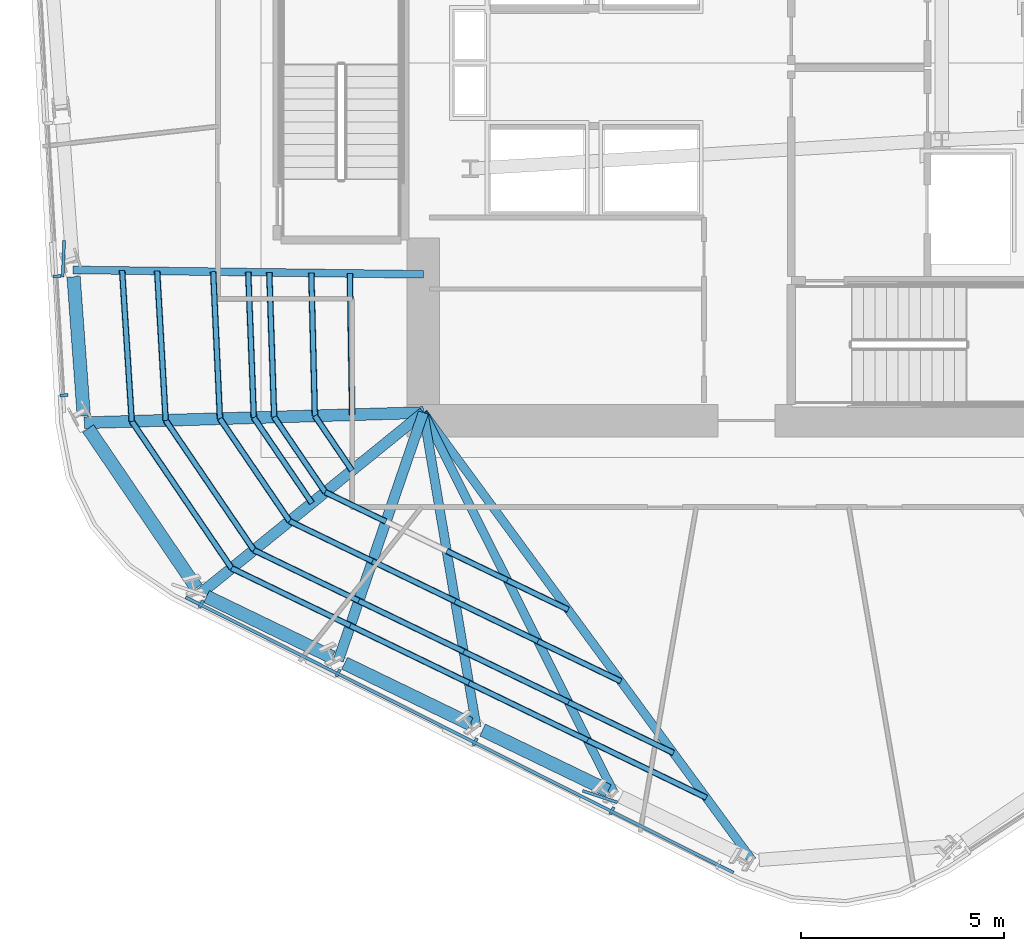
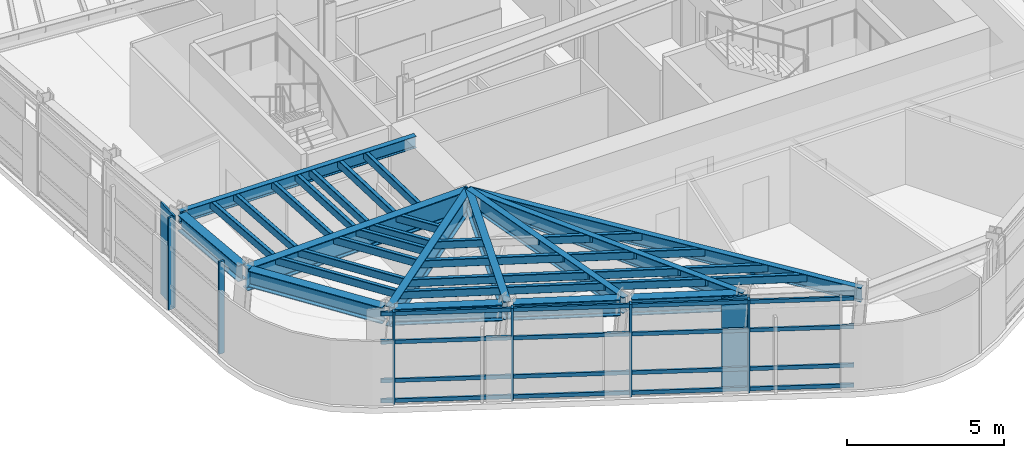
# One storey, part 2 of 15: 40 members, 12 beams, 2 elements without a shape of their own.
"""IFC4 building model written with IfcOpenShell, lengths in metres."""

from ifc_helpers import new_model, si_unit, direction, frame, origin, origin_2d, place, context, subcontext, project, spatial, rectangle, hollow_rectangle, i_section, extrude, material, layer, layer_set, material_profile, profile_set, type_object, element, aggregate, save


model = new_model("IFC4")

# Units and contexts
model_context = context("Model", 3, precision=1e-05, world=origin(), true_north=direction((0.0, 1.0)))
body_context = subcontext(model_context, "Body", "Model", "MODEL_VIEW")
ifc_project = project(units=[si_unit("LENGTHUNIT", "METRE"), si_unit("AREAUNIT", "SQUARE_METRE"), si_unit("VOLUMEUNIT", "CUBIC_METRE"), si_unit("PLANEANGLEUNIT", "RADIAN"), si_unit("MASSUNIT", "GRAM", prefix="KILO")], contexts=[model_context])

# Site, building, storey
site_placement = place(None, origin())
site = spatial("IfcSite", under=ifc_project, at=site_placement, CompositionType="ELEMENT")
building_placement = place(site_placement, origin())
building = spatial("IfcBuilding", under=site, at=building_placement, Name="Valkerne Bourse Tower", CompositionType="ELEMENT")
storey_placement = place(building_placement, frame((0.0, 0.0, 166.60009765625)))
storey = spatial("IfcBuildingStorey", under=building, at=storey_placement, Name="L42", CompositionType="ELEMENT", Elevation=166.60009765625)

# Beams
ifc_material_1 = material(Name="Steel ASTM A992", Category="steel")
ifc_material_profile_1 = material_profile(ifc_material_1, i_section(OverallWidth=0.1904296875, OverallDepth=0.457275390625, WebThickness=0.009033203125, FlangeThickness=0.014404296875, FilletRadius=0.01513671875, at=origin_2d()), Name="W18X50")
ifc_profile_set_1 = profile_set([ifc_material_profile_1], Name="Steel ASTM A992")
beam_type_1 = type_object("IfcBeamType", Name="BM-W18X50", PredefinedType="JOIST", material=ifc_profile_set_1)
beam_1_placement = place(storey_placement, frame((28.981689453125, 21.910400390625, 3.351318359375), z_axis=(0.999918036695, -0.012803120381, 0.0), x_axis=(0.012803120381, 0.999918036695, 0.0)))
element("IfcBeam", 1, at=beam_1_placement, inside=storey, type_object=beam_type_1, Name="L42 Radial Composite Floor Beam 13", PredefinedType="JOIST", context=body_context, shape_type="SweptSolid", body=[
    extrude(i_section(OverallWidth=0.1904296875, OverallDepth=0.457275390625, WebThickness=0.009033203125, FlangeThickness=0.014404296875, FilletRadius=0.01513671875, at=origin_2d()), origin(), (0.0, 0.0, 1.0), 8.619140625),
])
ifc_material_profile_2 = material_profile(ifc_material_1, i_section(OverallWidth=0.209228515625, OverallDepth=0.533447265625, WebThickness=0.01025390625, FlangeThickness=0.015625, FilletRadius=0.017822265625, at=origin_2d()), Name="W21X62")
ifc_profile_set_2 = profile_set([ifc_material_profile_2], Name="Steel ASTM A992")
beam_type_2 = type_object("IfcBeamType", Name="BM-W21X62", PredefinedType="JOIST", material=ifc_profile_set_2)
beam_2_placement = place(storey_placement, frame((45.693603515625, 7.3828125, 3.313232421875), z_axis=(-0.592044005154, 0.805905637132, 0.0), x_axis=(-0.805905637132, -0.592044005154, 0.0)))
element("IfcBeam", 2, at=beam_2_placement, inside=storey, type_object=beam_type_2, Name="L42 Radial Composite Floor Beam 19", PredefinedType="JOIST", context=body_context, shape_type="SweptSolid", body=[
    extrude(i_section(OverallWidth=0.209228515625, OverallDepth=0.533447265625, WebThickness=0.01025390625, FlangeThickness=0.015625, FilletRadius=0.017822265625, at=origin_2d()), origin(), (0.0, 0.0, 1.0), 13.67041015625),
])
ifc_material_profile_3 = material_profile(ifc_material_1, i_section(OverallWidth=0.2138671875, OverallDepth=0.548583984375, WebThickness=0.0146484375, FlangeThickness=0.023681640625, FilletRadius=0.017822265625, at=origin_2d()), Name="W21X93")
ifc_profile_set_3 = profile_set([ifc_material_profile_3], Name="Steel ASTM A992")
beam_type_3 = type_object("IfcBeamType", Name="BM-W21X93", PredefinedType="BEAM", material=ifc_profile_set_3)
beam_3_placement = place(storey_placement, frame((42.298583984375, 9.024169921875, 3.3056640625), z_axis=(-0.44802355597, 0.894021752138, 0.0), x_axis=(-0.894021752138, -0.44802355597, 0.0)))
element("IfcBeam", 3, at=beam_3_placement, inside=storey, type_object=beam_type_3, Name="L42 Radial Composite Floor Beam 18", PredefinedType="BEAM", context=body_context, shape_type="SweptSolid", body=[
    extrude(i_section(OverallWidth=0.2138671875, OverallDepth=0.548583984375, WebThickness=0.0146484375, FlangeThickness=0.023681640625, FilletRadius=0.017822265625, at=origin_2d()), origin(), (0.0, 0.0, 1.0), 10.487060546875),
])
ifc_material_profile_4 = material_profile(ifc_material_1, i_section(OverallWidth=0.32763671875, OverallDepth=0.62744140625, WebThickness=0.0166015625, FlangeThickness=0.027587890625, FilletRadius=0.020263671875, at=origin_2d()), Name="W24X146")
ifc_profile_set_4 = profile_set([ifc_material_profile_4], Name="Steel ASTM A992")
beam_type_4 = type_object("IfcBeamType", Name="BM-W24X146", PredefinedType="SPANDREL", material=ifc_profile_set_4)
beam_4_placement = place(storey_placement, frame((28.994140625, 21.74072265625, 3.26611328125), z_axis=(0.073224234893, -0.997315502449, 0.0), x_axis=(0.997315502449, 0.073224234893, 0.0)))
element("IfcBeam", 4, at=beam_4_placement, inside=storey, type_object=beam_type_4, Name="L42 Hexagonal Spandrel Ring Beam 13", PredefinedType="SPANDREL", context=body_context, shape_type="SweptSolid", body=[
    extrude(i_section(OverallWidth=0.32763671875, OverallDepth=0.62744140625, WebThickness=0.0166015625, FlangeThickness=0.027587890625, FilletRadius=0.020263671875, at=origin_2d()), origin(), (0.0, 0.0, 1.0), 3.430908203125),
])
beam_5_placement = place(storey_placement, frame((29.353515625, 18.0087890625, 3.26611328125), z_axis=(0.562047948241, -0.827104651104, 0.0), x_axis=(0.827104651104, 0.562047948241, 0.0)))
element("IfcBeam", 5, at=beam_5_placement, inside=storey, type_object=beam_type_4, Name="L42 Hexagonal Spandrel Ring Beam 14", PredefinedType="SPANDREL", context=body_context, shape_type="SweptSolid", body=[
    extrude(i_section(OverallWidth=0.32763671875, OverallDepth=0.62744140625, WebThickness=0.0166015625, FlangeThickness=0.027587890625, FilletRadius=0.020263671875, at=origin_2d()), origin(), (0.0, 0.0, 1.0), 4.739990234375),
])
for number, where, z_axis, x_axis, name in (
    (6, (32.266357421875, 13.873779296875, 3.26611328125), (0.900324787912, -0.435218653404, 0.0), (0.435218653404, 0.900324787912, 0.0), "L42 Hexagonal Spandrel Ring Beam 15"),
    (7, (35.66162109375, 12.232666015625, 3.26611328125), (0.900296903464, -0.435276332476, 0.0), (0.435276332476, 0.900296903464, 0.0), "L42 Hexagonal Spandrel Ring Beam 16"),
    (8, (39.056640625, 10.59130859375, 3.26611328125), (0.900324787912, -0.435218653404, 0.0), (0.435218653404, 0.900324787912, 0.0), "L42 Hexagonal Spandrel Ring Beam 17"),
):
    element("IfcBeam", number, at=place(storey_placement, frame(where, z_axis=z_axis, x_axis=x_axis)), inside=storey, type_object=beam_type_4, Name=name, PredefinedType="SPANDREL", context=body_context, shape_type="SweptSolid", body=[
        extrude(i_section(OverallWidth=0.32763671875, OverallDepth=0.62744140625, WebThickness=0.0166015625, FlangeThickness=0.027587890625, FilletRadius=0.020263671875, at=origin_2d()), origin(), (0.0, 0.0, 1.0), 3.430908203125),
    ])
ifc_material_profile_5 = material_profile(ifc_material_1, i_section(OverallWidth=0.228271484375, OverallDepth=0.607177734375, WebThickness=0.01123046875, FlangeThickness=0.017333984375, FilletRadius=0.017822265625, at=origin_2d()), Name="W24X76")
ifc_profile_set_5 = profile_set([ifc_material_profile_5], Name="Steel ASTM A992")
beam_type_5 = type_object("IfcBeamType", Name="BM-W24X76", PredefinedType="JOIST", material=ifc_profile_set_5)
beam_6_placement = place(storey_placement, frame((38.903564453125, 10.665283203125, 3.2763671875), z_axis=(-0.166180458838, 0.986095358016, 0.0), x_axis=(-0.986095358016, -0.166180458838, 0.0)))
element("IfcBeam", 9, at=beam_6_placement, inside=storey, type_object=beam_type_5, Name="L42 Radial Composite Floor Beam 17", PredefinedType="JOIST", context=body_context, shape_type="SweptSolid", body=[
    extrude(i_section(OverallWidth=0.228271484375, OverallDepth=0.607177734375, WebThickness=0.01123046875, FlangeThickness=0.017333984375, FilletRadius=0.017822265625, at=origin_2d()), origin(), (0.0, 0.0, 1.0), 7.84375),
])
ifc_material_profile_6 = material_profile(ifc_material_1, i_section(OverallWidth=0.255859375, OverallDepth=0.693359375, WebThickness=0.014404296875, FlangeThickness=0.023681640625, FilletRadius=0.02294921875, at=origin_2d()), Name="W27X114")
ifc_profile_set_6 = profile_set([ifc_material_profile_6], Name="Steel ASTM A992")
beam_type_6 = type_object("IfcBeamType", Name="BM-W27X114", PredefinedType="BEAM", material=ifc_profile_set_6)
beam_7_placement = place(storey_placement, frame((35.50830078125, 12.306640625, 3.233154296875), z_axis=(0.324696342773, 0.945818315, 0.0), x_axis=(-0.945818315, 0.324696342773, 0.0)))
element("IfcBeam", 10, at=beam_7_placement, inside=storey, type_object=beam_type_6, Name="L42 Radial Composite Floor Beam 16", PredefinedType="BEAM", context=body_context, shape_type="SweptSolid", body=[
    extrude(i_section(OverallWidth=0.255859375, OverallDepth=0.693359375, WebThickness=0.014404296875, FlangeThickness=0.023681640625, FilletRadius=0.02294921875, at=origin_2d()), origin(), (0.0, 0.0, 1.0), 6.4423828125),
])
ifc_material_profile_7 = material_profile(ifc_material_1, i_section(OverallWidth=0.26806640625, OverallDepth=0.76953125, WebThickness=0.015625, FlangeThickness=0.025390625, FilletRadius=0.025390625, at=origin_2d()), Name="W30X132")
ifc_profile_set_7 = profile_set([ifc_material_profile_7], Name="Steel ASTM A992")
beam_type_7 = type_object("IfcBeamType", Name="BM-W30X132", PredefinedType="BEAM", material=ifc_profile_set_7)
beam_8_placement = place(storey_placement, frame((32.11328125, 13.94775390625, 3.195068359375), z_axis=(0.776521795274, 0.630090391502, 0.0), x_axis=(-0.630090391502, 0.776521795274, 0.0)))
element("IfcBeam", 11, at=beam_8_placement, inside=storey, type_object=beam_type_7, Name="L42 Radial Composite Floor Beam 15", PredefinedType="BEAM", context=body_context, shape_type="SweptSolid", body=[
    extrude(i_section(OverallWidth=0.26806640625, OverallDepth=0.76953125, WebThickness=0.015625, FlangeThickness=0.025390625, FilletRadius=0.025390625, at=origin_2d()), origin(), (0.0, 0.0, 1.0), 7.06591796875),
])
ifc_material_profile_8 = material_profile(ifc_material_1, i_section(OverallWidth=0.2919921875, OverallDepth=0.8583984375, WebThickness=0.01708984375, FlangeThickness=0.031005859375, FilletRadius=0.025390625, at=origin_2d()), Name="W33X169")
ifc_profile_set_8 = profile_set([ifc_material_profile_8], Name="Steel ASTM A992")
beam_type_8 = type_object("IfcBeamType", Name="BM-W33X169", PredefinedType="BEAM", material=ifc_profile_set_8)
beam_9_placement = place(storey_placement, frame((29.2578125, 18.1494140625, 3.150634765625), z_axis=(0.999549514076, 0.030012812451, 0.0), x_axis=(-0.030012812451, 0.999549514076, 0.0)))
element("IfcBeam", 12, at=beam_9_placement, inside=storey, type_object=beam_type_8, Name="L42 Radial Composite Floor Beam 14", PredefinedType="BEAM", context=body_context, shape_type="SweptSolid", body=[
    extrude(i_section(OverallWidth=0.2919921875, OverallDepth=0.8583984375, WebThickness=0.01708984375, FlangeThickness=0.031005859375, FilletRadius=0.025390625, at=origin_2d()), origin(), (0.0, 0.0, 1.0), 8.345947265625),
])

# Curtain wall, members
ifc_material_2 = material(Name="Aluminium AA 6063-T6", Category="aluminium")
ifc_layer = layer(ifc_material_2, 0.235107421875)
ifc_layer_set = layer_set([ifc_layer], Name="Aluminium AA 6063-T6")
curtain_wall_type = type_object("IfcCurtainWallType", Name="CW-03", PredefinedType="NOTDEFINED", material=ifc_layer_set)
curtain_wall_1_placement = place(storey_placement, origin())
curtain_wall_1 = element("IfcCurtainWall", 13, at=curtain_wall_1_placement, inside=storey, type_object=curtain_wall_type, Name="L42 Hexagonal Stick Curtain Wall Face 3", PredefinedType="NOTDEFINED")
ifc_material_profile_9 = material_profile(ifc_material_2, rectangle(XDim=0.074951171875, YDim=0.199951171875, at=origin_2d()), Name="CWM-75X200")
ifc_profile_set_9 = profile_set([ifc_material_profile_9], Name="Aluminium AA 6063-T6")
member_type_1 = type_object("IfcMemberType", Name="CW-MUL-220X75", PredefinedType="MULLION", material=ifc_profile_set_9)
member_1_placement = place(storey_placement, frame((28.588623046875, 21.751953125, 0.0), z_axis=(0.0, 0.0, 1.0), x_axis=(0.057570105269, -0.998341466122, 0.0)))
member_1 = element("IfcMember", 14, at=member_1_placement, type_object=member_type_1, Name="CW-L42-F3 Jamb Mullion 03A", PredefinedType="MULLION", context=body_context, shape_type="SweptSolid", body=[
    extrude(rectangle(XDim=0.074951171875, YDim=0.199951171875, at=origin_2d()), origin(), (0.0, 0.0, 1.0), 3.579833984375),
])
member_2_placement = place(storey_placement, frame((28.75732421875, 18.82568359375, 0.0), z_axis=(0.0, 0.0, 1.0), x_axis=(0.057570105269, -0.998341466122, 0.0)))
member_2 = element("IfcMember", 15, at=member_2_placement, type_object=member_type_1, Name="CW-L42-F3 Jamb Mullion 03B", PredefinedType="MULLION", context=body_context, shape_type="SweptSolid", body=[
    extrude(rectangle(XDim=0.074951171875, YDim=0.199951171875, at=origin_2d()), origin(), (0.0, 0.0, 1.0), 3.579833984375),
])
aggregate(curtain_wall_1, [member_1, member_2])

curtain_wall_2_placement = place(storey_placement, origin())
curtain_wall_2 = element("IfcCurtainWall", 16, at=curtain_wall_2_placement, inside=storey, type_object=curtain_wall_type, Name="L42 Hexagonal Stick Curtain Wall Face 4", PredefinedType="NOTDEFINED")
member_3_placement = place(storey_placement, frame((32.132568359375, 13.6875, 0.0), z_axis=(0.0, 0.0, 1.0), x_axis=(0.893369278637, -0.449323193244, 0.0)))
member_3 = element("IfcMember", 17, at=member_3_placement, type_object=member_type_1, Name="CW-L42-F4 Jamb Mullion 00A", PredefinedType="MULLION", context=body_context, shape_type="SweptSolid", body=[
    extrude(rectangle(XDim=0.074951171875, YDim=0.199951171875, at=origin_2d()), origin(), (0.0, 0.0, 1.0), 3.579833984375),
])
member_4_placement = place(storey_placement, frame((35.50146484375, 11.9931640625, 0.0), z_axis=(0.0, 0.0, 1.0), x_axis=(0.893379923198, -0.449302028514, 0.0)))
member_4 = element("IfcMember", 18, at=member_4_placement, type_object=member_type_1, Name="CW-L42-F4 Jamb Mullion 01A", PredefinedType="MULLION", context=body_context, shape_type="SweptSolid", body=[
    extrude(rectangle(XDim=0.074951171875, YDim=0.199951171875, at=origin_2d()), origin(), (0.0, 0.0, 1.0), 3.579833984375),
])
member_5_placement = place(storey_placement, frame((38.870361328125, 10.298828125, 0.0), z_axis=(0.0, 0.0, 1.0), x_axis=(0.893369278637, -0.449323193244, 0.0)))
member_5 = element("IfcMember", 19, at=member_5_placement, type_object=member_type_1, Name="CW-L42-F4 Jamb Mullion 02A", PredefinedType="MULLION", context=body_context, shape_type="SweptSolid", body=[
    extrude(rectangle(XDim=0.074951171875, YDim=0.199951171875, at=origin_2d()), origin(), (0.0, 0.0, 1.0), 3.579833984375),
])
member_6_placement = place(storey_placement, frame((42.2392578125, 8.6044921875, 0.0), z_axis=(0.0, 0.0, 1.0), x_axis=(0.893369278637, -0.449323193244, 0.0)))
member_6 = element("IfcMember", 20, at=member_6_placement, type_object=member_type_1, Name="CW-L42-F4 Jamb Mullion 03A", PredefinedType="MULLION", context=body_context, shape_type="SweptSolid", body=[
    extrude(rectangle(XDim=0.074951171875, YDim=0.199951171875, at=origin_2d()), origin(), (0.0, 0.0, 1.0), 3.579833984375),
])
ifc_material_profile_10 = material_profile(ifc_material_2, rectangle(XDim=0.074951171875, YDim=0.14990234375, at=origin_2d()), Name="CWT-75X150")
ifc_profile_set_10 = profile_set([ifc_material_profile_10], Name="Aluminium AA 6063-T6")
member_type_2 = type_object("IfcMemberType", Name="CW-TRN-180X65", PredefinedType="USERDEFINED", material=ifc_profile_set_10)
member_7_placement = place(storey_placement, frame((31.748291015625, 13.8583984375, 0.119873046875), z_axis=(0.893375909627, -0.4493100089, 0.0), x_axis=(0.4493100089, 0.893375909627, 0.0)))
member_7 = element("IfcMember", 21, at=member_7_placement, type_object=member_type_2, Name="CW-L42-F4 Continuous Face Transom 1", ObjectType="TRANSOM", PredefinedType="USERDEFINED", context=body_context, shape_type="SweptSolid", body=[
    extrude(rectangle(XDim=0.074951171875, YDim=0.14990234375, at=origin_2d()), origin(), (0.0, 0.0, 1.0), 15.083984375),
])
member_8_placement = place(storey_placement, frame((31.748291015625, 13.8583984375, 0.89990234375), z_axis=(0.893375909627, -0.4493100089, 0.0), x_axis=(0.4493100089, 0.893375909627, 0.0)))
member_8 = element("IfcMember", 22, at=member_8_placement, type_object=member_type_2, Name="CW-L42-F4 Continuous Face Transom 2", ObjectType="TRANSOM", PredefinedType="USERDEFINED", context=body_context, shape_type="SweptSolid", body=[
    extrude(rectangle(XDim=0.074951171875, YDim=0.14990234375, at=origin_2d()), origin(), (0.0, 0.0, 1.0), 15.083984375),
])
member_9_placement = place(storey_placement, frame((31.748291015625, 13.8583984375, 2.39990234375), z_axis=(0.893375909627, -0.4493100089, 0.0), x_axis=(0.4493100089, 0.893375909627, 0.0)))
member_9 = element("IfcMember", 23, at=member_9_placement, type_object=member_type_2, Name="CW-L42-F4 Continuous Face Transom 3", ObjectType="TRANSOM", PredefinedType="USERDEFINED", context=body_context, shape_type="SweptSolid", body=[
    extrude(rectangle(XDim=0.074951171875, YDim=0.14990234375, at=origin_2d()), origin(), (0.0, 0.0, 1.0), 15.083984375),
])
member_10_placement = place(storey_placement, frame((31.748291015625, 13.8583984375, 3.5), z_axis=(0.893375909627, -0.4493100089, 0.0), x_axis=(0.4493100089, 0.893375909627, 0.0)))
member_10 = element("IfcMember", 24, at=member_10_placement, type_object=member_type_2, Name="CW-L42-F4 Continuous Face Transom 4", ObjectType="TRANSOM", PredefinedType="USERDEFINED", context=body_context, shape_type="SweptSolid", body=[
    extrude(rectangle(XDim=0.074951171875, YDim=0.14990234375, at=origin_2d()), origin(), (0.0, 0.0, 1.0), 15.083984375),
])
aggregate(curtain_wall_2, [member_7, member_8, member_9, member_10, member_3, member_4, member_5, member_6])

# Members
ifc_material_3 = material(Name="Bronze Anodised Aluminium AA 6063-T6", Category="aluminium")
ifc_material_profile_11 = material_profile(ifc_material_3, rectangle(XDim=0.070068359375, YDim=0.89990234375, at=origin_2d()), Name="FIN-70X900")
ifc_profile_set_11 = profile_set([ifc_material_profile_11], Name="Bronze Anodised Aluminium AA 6063-T6")
member_type_3 = type_object("IfcMemberType", Name="FIN-SOLAR-900", PredefinedType="USERDEFINED", material=ifc_profile_set_11)
for number, where, z_axis, x_axis, name in (
    (25, (28.744140625, 22.181640625, 0.00390625), (0.0, 0.0, 1.0), (-0.999175484483, 0.040599891717, 0.0), "L42 Bronze Anodised Solar Fin F3-03"),
    (26, (41.94482421875, 8.9541015625, 0.00390625), (0.0, 0.0, 1.0), (-0.31585003903, -0.948809123504, 0.0), "L42 Bronze Anodised Solar Fin F4-03"),
):
    element("IfcMember", number, at=place(storey_placement, frame(where, z_axis=z_axis, x_axis=x_axis)), inside=storey, type_object=member_type_3, Name=name, ObjectType="SOLAR_FIN", PredefinedType="USERDEFINED", context=body_context, shape_type="SweptSolid", body=[
        extrude(rectangle(XDim=0.070068359375, YDim=0.89990234375, at=origin_2d()), origin(), (0.0, 0.0, 1.0), 3.572021484375),
    ])
ifc_material_4 = material(Name="Steel ASTM A500 Grade C", Category="steel")
ifc_material_profile_12 = material_profile(ifc_material_4, hollow_rectangle(XDim=0.14990234375, YDim=0.300048828125, WallThickness=0.012451171875, OuterFilletRadius=0.02490234375, at=origin_2d()), Name="HSS300X150X12.5")
ifc_profile_set_12 = profile_set([ifc_material_profile_12], Name="Steel ASTM A500 Grade C")
member_type_4 = type_object("IfcMemberType", Name="MBR-HSS300X150X12.5", PredefinedType="PURLIN", material=ifc_profile_set_12)
member_11_placement = place(storey_placement, frame((34.842041015625, 21.835205078125, 3.419921875), z_axis=(0.025132693442, -0.999684123971, 0.0), x_axis=(0.999684123971, 0.025132693442, 0.0)))
element("IfcMember", 27, at=member_11_placement, inside=storey, type_object=member_type_4, Name="L42 Secondary Composite Floor Purlin I-13", PredefinedType="PURLIN", context=body_context, shape_type="SweptSolid", body=[
    extrude(hollow_rectangle(XDim=0.14990234375, YDim=0.300048828125, WallThickness=0.012451171875, OuterFilletRadius=0.02490234375, at=origin_2d()), origin(), (0.0, 0.0, 1.0), 3.5166015625),
])
member_12_placement = place(storey_placement, frame((34.930419921875, 18.31982421875, 3.419921875), z_axis=(0.562129264405, -0.827049387945, 0.0), x_axis=(0.827049387945, 0.562129264405, 0.0)))
element("IfcMember", 28, at=member_12_placement, inside=storey, type_object=member_type_4, Name="L42 Secondary Composite Floor Purlin I-14", PredefinedType="PURLIN", context=body_context, shape_type="SweptSolid", body=[
    extrude(hollow_rectangle(XDim=0.14990234375, YDim=0.300048828125, WallThickness=0.012451171875, OuterFilletRadius=0.02490234375, at=origin_2d()), origin(), (0.0, 0.0, 1.0), 1.625732421875),
])
member_13_placement = place(storey_placement, frame((33.807861328125, 21.848388671875, 3.419921875), z_axis=(0.034145828544, -0.999416861171, 0.0), x_axis=(0.999416861171, 0.034145828544, 0.0)))
element("IfcMember", 29, at=member_13_placement, inside=storey, type_object=member_type_4, Name="L42 Secondary Composite Floor Purlin K-13", PredefinedType="PURLIN", context=body_context, shape_type="SweptSolid", body=[
    extrude(hollow_rectangle(XDim=0.14990234375, YDim=0.300048828125, WallThickness=0.012451171875, OuterFilletRadius=0.02490234375, at=origin_2d()), origin(), (0.0, 0.0, 1.0), 3.560791015625),
])
member_14_placement = place(storey_placement, frame((33.929443359375, 18.289794921875, 3.419921875), z_axis=(0.562038139848, -0.827111316182, 0.0), x_axis=(0.827111316182, 0.562038139848, 0.0)))
element("IfcMember", 30, at=member_14_placement, inside=storey, type_object=member_type_4, Name="L42 Secondary Composite Floor Purlin K-14", PredefinedType="PURLIN", context=body_context, shape_type="SweptSolid", body=[
    extrude(hollow_rectangle(XDim=0.14990234375, YDim=0.300048828125, WallThickness=0.012451171875, OuterFilletRadius=0.02490234375, at=origin_2d()), origin(), (0.0, 0.0, 1.0), 2.2353515625),
])
for number, where, z_axis, x_axis, name in (
    (31, (35.185791015625, 16.44091796875, 3.419921875), (0.900378737522, -0.435107031681, 0.0), (0.435107031681, 0.900378737522, 0.0), "L42 Secondary Composite Floor Purlin K-15"),
    (32, (38.173583984375, 14.99658203125, 3.419921875), (0.900378737522, -0.435107031681, 0.0), (0.435107031681, 0.900378737522, 0.0), "L42 Secondary Composite Floor Purlin K-17"),
    (33, (39.66748046875, 14.274658203125, 3.419921875), (0.900293211521, -0.435283968565, 0.0), (0.435283968565, 0.900293211521, 0.0), "L42 Secondary Composite Floor Purlin K-18"),
):
    element("IfcMember", number, at=place(storey_placement, frame(where, z_axis=z_axis, x_axis=x_axis)), inside=storey, type_object=member_type_4, Name=name, PredefinedType="PURLIN", context=body_context, shape_type="SweptSolid", body=[
        extrude(hollow_rectangle(XDim=0.14990234375, YDim=0.300048828125, WallThickness=0.012451171875, OuterFilletRadius=0.02490234375, at=origin_2d()), origin(), (0.0, 0.0, 1.0), 1.6591796875),
    ])
member_15_placement = place(storey_placement, frame((33.290771484375, 21.855224609375, 3.419921875), z_axis=(0.038563955533, -0.999256133999, 0.0), x_axis=(0.999256133999, 0.038563955533, 0.0)))
element("IfcMember", 34, at=member_15_placement, inside=storey, type_object=member_type_4, Name="L42 Secondary Composite Floor Purlin M-13", PredefinedType="PURLIN", context=body_context, shape_type="SweptSolid", body=[
    extrude(hollow_rectangle(XDim=0.14990234375, YDim=0.300048828125, WallThickness=0.012451171875, OuterFilletRadius=0.02490234375, at=origin_2d()), origin(), (0.0, 0.0, 1.0), 3.583251953125),
])
member_16_placement = place(storey_placement, frame((33.428955078125, 18.274658203125, 3.419921875), z_axis=(0.562086536366, -0.827078427742, 0.0), x_axis=(0.827078427742, 0.562086536366, 0.0)))
element("IfcMember", 35, at=member_16_placement, inside=storey, type_object=member_type_4, Name="L42 Secondary Composite Floor Purlin M-14", PredefinedType="PURLIN", context=body_context, shape_type="SweptSolid", body=[
    extrude(hollow_rectangle(XDim=0.14990234375, YDim=0.300048828125, WallThickness=0.012451171875, OuterFilletRadius=0.02490234375, at=origin_2d()), origin(), (0.0, 0.0, 1.0), 2.5400390625),
])
member_17_placement = place(storey_placement, frame((31.050048828125, 21.8837890625, 3.419921875), z_axis=(0.057053569135, -0.998371118497, 0.0), x_axis=(0.998371118497, 0.057053569135, 0.0)))
element("IfcMember", 36, at=member_17_placement, inside=storey, type_object=member_type_4, Name="L42 Secondary Composite Floor Purlin O-13", PredefinedType="PURLIN", context=body_context, shape_type="SweptSolid", body=[
    extrude(hollow_rectangle(XDim=0.14990234375, YDim=0.300048828125, WallThickness=0.012451171875, OuterFilletRadius=0.02490234375, at=origin_2d()), origin(), (0.0, 0.0, 1.0), 3.68017578125),
])
member_18_placement = place(storey_placement, frame((31.260009765625, 18.209716796875, 3.419921875), z_axis=(0.562076508011, -0.827085242972, 0.0), x_axis=(0.827085242972, 0.562076508011, 0.0)))
element("IfcMember", 37, at=member_18_placement, inside=storey, type_object=member_type_4, Name="L42 Secondary Composite Floor Purlin O-14", PredefinedType="PURLIN", context=body_context, shape_type="SweptSolid", body=[
    extrude(hollow_rectangle(XDim=0.14990234375, YDim=0.300048828125, WallThickness=0.012451171875, OuterFilletRadius=0.02490234375, at=origin_2d()), origin(), (0.0, 0.0, 1.0), 3.861083984375),
])
member_19_placement = place(storey_placement, frame((33.43017578125, 15.016357421875, 3.419921875), z_axis=(0.900327257289, -0.435213545036, 0.0), x_axis=(0.435213545036, 0.900327257289, 0.0)))
element("IfcMember", 38, at=member_19_placement, inside=storey, type_object=member_type_4, Name="L42 Secondary Composite Floor Purlin O-15", PredefinedType="PURLIN", context=body_context, shape_type="SweptSolid", body=[
    extrude(hollow_rectangle(XDim=0.14990234375, YDim=0.300048828125, WallThickness=0.012451171875, OuterFilletRadius=0.02490234375, at=origin_2d()), origin(), (0.0, 0.0, 1.0), 2.865966796875),
])
member_20_placement = place(storey_placement, frame((36.010498046875, 13.76904296875, 3.419921875), z_axis=(0.900293877187, -0.435282591771, 0.0), x_axis=(0.435282591771, 0.900293877187, 0.0)))
element("IfcMember", 39, at=member_20_placement, inside=storey, type_object=member_type_4, Name="L42 Secondary Composite Floor Purlin O-16", PredefinedType="PURLIN", context=body_context, shape_type="SweptSolid", body=[
    extrude(hollow_rectangle(XDim=0.14990234375, YDim=0.300048828125, WallThickness=0.012451171875, OuterFilletRadius=0.02490234375, at=origin_2d()), origin(), (0.0, 0.0, 1.0), 2.8662109375),
])
member_21_placement = place(storey_placement, frame((38.5908203125, 12.521484375, 3.419921875), z_axis=(0.900344502148, -0.435177868752, 0.0), x_axis=(0.435177868752, 0.900344502148, 0.0)))
element("IfcMember", 40, at=member_21_placement, inside=storey, type_object=member_type_4, Name="L42 Secondary Composite Floor Purlin O-17", PredefinedType="PURLIN", context=body_context, shape_type="SweptSolid", body=[
    extrude(hollow_rectangle(XDim=0.14990234375, YDim=0.300048828125, WallThickness=0.012451171875, OuterFilletRadius=0.02490234375, at=origin_2d()), origin(), (0.0, 0.0, 1.0), 2.86572265625),
])
member_22_placement = place(storey_placement, frame((41.1708984375, 11.2744140625, 3.419921875), z_axis=(0.900293877187, -0.435282591771, 0.0), x_axis=(0.435282591771, 0.900293877187, 0.0)))
element("IfcMember", 41, at=member_22_placement, inside=storey, type_object=member_type_4, Name="L42 Secondary Composite Floor Purlin O-18", PredefinedType="PURLIN", context=body_context, shape_type="SweptSolid", body=[
    extrude(hollow_rectangle(XDim=0.14990234375, YDim=0.300048828125, WallThickness=0.012451171875, OuterFilletRadius=0.02490234375, at=origin_2d()), origin(), (0.0, 0.0, 1.0), 2.8662109375),
])
member_23_placement = place(storey_placement, frame((32.428955078125, 21.8662109375, 3.419921875), z_axis=(0.045790034939, -0.99895108624, 0.0), x_axis=(0.99895108624, 0.045790034939, 0.0)))
element("IfcMember", 42, at=member_23_placement, inside=storey, type_object=member_type_4, Name="L42 Secondary Composite Floor Purlin Z-13", PredefinedType="PURLIN", context=body_context, shape_type="SweptSolid", body=[
    extrude(hollow_rectangle(XDim=0.14990234375, YDim=0.300048828125, WallThickness=0.012451171875, OuterFilletRadius=0.02490234375, at=origin_2d()), origin(), (0.0, 0.0, 1.0), 3.620361328125),
])
member_24_placement = place(storey_placement, frame((32.5947265625, 18.249755859375, 3.419921875), z_axis=(0.56210845211, -0.827063533271, 0.0), x_axis=(0.827063533271, 0.56210845211, 0.0)))
element("IfcMember", 43, at=member_24_placement, inside=storey, type_object=member_type_4, Name="L42 Secondary Composite Floor Purlin Z-14", PredefinedType="PURLIN", context=body_context, shape_type="SweptSolid", body=[
    extrude(hollow_rectangle(XDim=0.14990234375, YDim=0.300048828125, WallThickness=0.012451171875, OuterFilletRadius=0.02490234375, at=origin_2d()), origin(), (0.0, 0.0, 1.0), 3.048095703125),
])
member_25_placement = place(storey_placement, frame((34.30810546875, 15.728759765625, 3.419921875), z_axis=(0.900283410067, -0.435304240226, 0.0), x_axis=(0.435304240226, 0.900283410067, 0.0)))
element("IfcMember", 44, at=member_25_placement, inside=storey, type_object=member_type_4, Name="L42 Secondary Composite Floor Purlin Z-15", PredefinedType="PURLIN", context=body_context, shape_type="SweptSolid", body=[
    extrude(hollow_rectangle(XDim=0.14990234375, YDim=0.300048828125, WallThickness=0.012451171875, OuterFilletRadius=0.02490234375, at=origin_2d()), origin(), (0.0, 0.0, 1.0), 2.262451171875),
])
for number, where, z_axis, x_axis, name in (
    (45, (36.344970703125, 14.743896484375, 3.419921875), (0.900346134359, -0.435174491835, 0.0), (0.435174491835, 0.900346134359, 0.0), "L42 Secondary Composite Floor Purlin Z-16"),
    (46, (38.382080078125, 13.75927734375, 3.419921875), (0.900303854709, -0.435261954685, 0.0), (0.435261954685, 0.900303854709, 0.0), "L42 Secondary Composite Floor Purlin Z-17"),
    (47, (40.419189453125, 12.7744140625, 3.419921875), (0.900346134359, -0.435174491835, 0.0), (0.435174491835, 0.900346134359, 0.0), "L42 Secondary Composite Floor Purlin Z-18"),
):
    element("IfcMember", number, at=place(storey_placement, frame(where, z_axis=z_axis, x_axis=x_axis)), inside=storey, type_object=member_type_4, Name=name, PredefinedType="PURLIN", context=body_context, shape_type="SweptSolid", body=[
        extrude(hollow_rectangle(XDim=0.14990234375, YDim=0.300048828125, WallThickness=0.012451171875, OuterFilletRadius=0.02490234375, at=origin_2d()), origin(), (0.0, 0.0, 1.0), 2.2626953125),
    ])
member_26_placement = place(storey_placement, frame((35.790283203125, 21.8232421875, 3.419921875), z_axis=(0.016644459417, -0.99986147139, 0.0), x_axis=(0.99986147139, 0.016644459417, 0.0)))
element("IfcMember", 48, at=member_26_placement, inside=storey, type_object=member_type_4, Name="L42 Secondary Composite Floor Purlin S-13", PredefinedType="PURLIN", context=body_context, shape_type="SweptSolid", body=[
    extrude(hollow_rectangle(XDim=0.14990234375, YDim=0.300048828125, WallThickness=0.012451171875, OuterFilletRadius=0.02490234375, at=origin_2d()), origin(), (0.0, 0.0, 1.0), 3.476318359375),
])
member_27_placement = place(storey_placement, frame((30.188232421875, 21.89501953125, 3.419921875), z_axis=(0.063890779104, -0.997956897038, 0.0), x_axis=(0.997956897038, 0.063890779104, 0.0)))
element("IfcMember", 49, at=member_27_placement, inside=storey, type_object=member_type_4, Name="L42 Secondary Composite Floor Purlin T-13", PredefinedType="PURLIN", context=body_context, shape_type="SweptSolid", body=[
    extrude(hollow_rectangle(XDim=0.14990234375, YDim=0.300048828125, WallThickness=0.012451171875, OuterFilletRadius=0.02490234375, at=origin_2d()), origin(), (0.0, 0.0, 1.0), 3.718017578125),
])
member_28_placement = place(storey_placement, frame((30.42578125, 18.1845703125, 3.419921875), z_axis=(0.56205473785, -0.827100037275, 0.0), x_axis=(0.827100037275, 0.56205473785, 0.0)))
element("IfcMember", 50, at=member_28_placement, inside=storey, type_object=member_type_4, Name="L42 Secondary Composite Floor Purlin T-14", PredefinedType="PURLIN", context=body_context, shape_type="SweptSolid", body=[
    extrude(hollow_rectangle(XDim=0.14990234375, YDim=0.300048828125, WallThickness=0.012451171875, OuterFilletRadius=0.02490234375, at=origin_2d()), origin(), (0.0, 0.0, 1.0), 4.368896484375),
])
member_29_placement = place(storey_placement, frame((32.88134765625, 14.571044921875, 3.419921875), z_axis=(0.900339121058, -0.435189001575, 0.0), x_axis=(0.435189001575, 0.900339121058, 0.0)))
element("IfcMember", 51, at=member_29_placement, inside=storey, type_object=member_type_4, Name="L42 Secondary Composite Floor Purlin T-15", PredefinedType="PURLIN", context=body_context, shape_type="SweptSolid", body=[
    extrude(hollow_rectangle(XDim=0.14990234375, YDim=0.300048828125, WallThickness=0.012451171875, OuterFilletRadius=0.02490234375, at=origin_2d()), origin(), (0.0, 0.0, 1.0), 3.2431640625),
])
member_30_placement = place(storey_placement, frame((35.80126953125, 13.15966796875, 3.419921875), z_axis=(0.900324862523, -0.435218499059, 0.0), x_axis=(0.435218499059, 0.900324862523, 0.0)))
element("IfcMember", 52, at=member_30_placement, inside=storey, type_object=member_type_4, Name="L42 Secondary Composite Floor Purlin T-16", PredefinedType="PURLIN", context=body_context, shape_type="SweptSolid", body=[
    extrude(hollow_rectangle(XDim=0.14990234375, YDim=0.300048828125, WallThickness=0.012451171875, OuterFilletRadius=0.02490234375, at=origin_2d()), origin(), (0.0, 0.0, 1.0), 3.242919921875),
])
member_31_placement = place(storey_placement, frame((38.720947265625, 11.748291015625, 3.419921875), z_axis=(0.900309624239, -0.435250020681, 0.0), x_axis=(0.435250020681, 0.900309624239, 0.0)))
element("IfcMember", 53, at=member_31_placement, inside=storey, type_object=member_type_4, Name="L42 Secondary Composite Floor Purlin T-17", PredefinedType="PURLIN", context=body_context, shape_type="SweptSolid", body=[
    extrude(hollow_rectangle(XDim=0.14990234375, YDim=0.300048828125, WallThickness=0.012451171875, OuterFilletRadius=0.02490234375, at=origin_2d()), origin(), (0.0, 0.0, 1.0), 3.2431640625),
])
member_32_placement = place(storey_placement, frame((41.640869140625, 10.336669921875, 3.419921875), z_axis=(0.900324862523, -0.435218499059, 0.0), x_axis=(0.435218499059, 0.900324862523, 0.0)))
element("IfcMember", 54, at=member_32_placement, inside=storey, type_object=member_type_4, Name="L42 Secondary Composite Floor Purlin T-18", PredefinedType="PURLIN", context=body_context, shape_type="SweptSolid", body=[
    extrude(hollow_rectangle(XDim=0.14990234375, YDim=0.300048828125, WallThickness=0.012451171875, OuterFilletRadius=0.02490234375, at=origin_2d()), origin(), (0.0, 0.0, 1.0), 3.242919921875),
])

save(model, "model.ifc")
